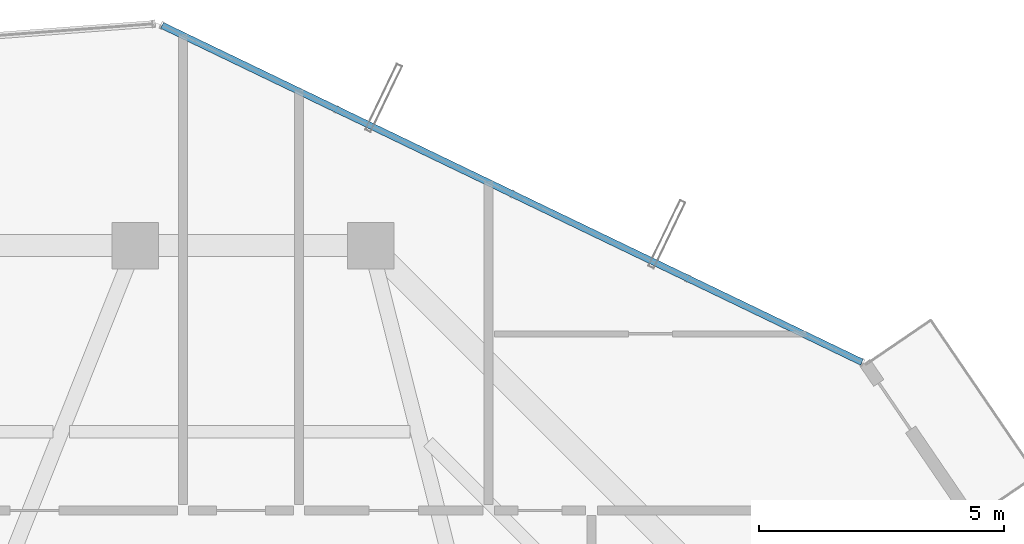
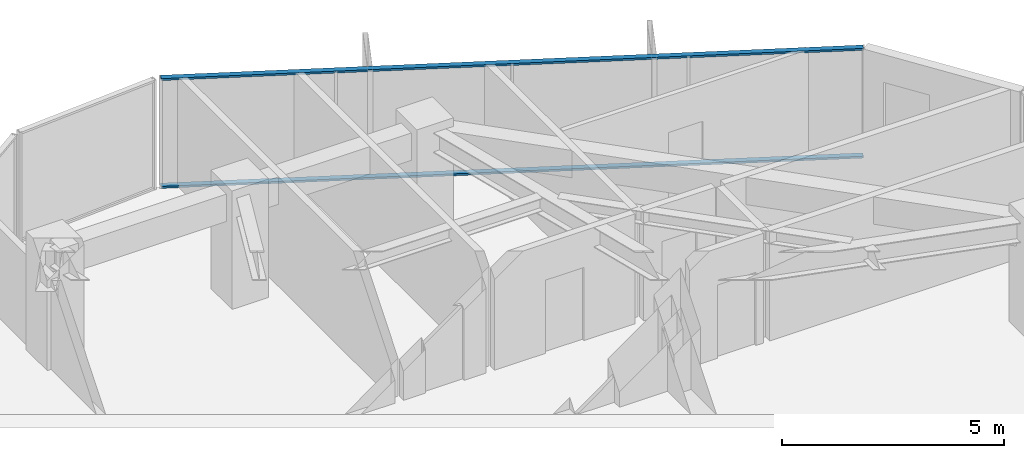
# One storey, part 27 of 34: 2 members, 1 element without a shape of its own.
"""IFC4 building model written with IfcOpenShell, lengths in metres."""

from ifc_helpers import new_model, si_unit, direction, frame, origin, origin_2d, place, context, subcontext, project, spatial, hollow_rectangle, extrude, source, transform, mapped, material, layer, layer_set, material_profile, profile_set, type_object, element, aggregate, save


model = new_model("IFC4")

# Units and contexts
model_context = context("Model", 3, precision=1e-05, world=origin(), true_north=direction((0.0, 1.0)))
body_context = subcontext(model_context, "Body", "Model", "MODEL_VIEW")
ifc_project = project(units=[si_unit("LENGTHUNIT", "METRE"), si_unit("AREAUNIT", "SQUARE_METRE"), si_unit("VOLUMEUNIT", "CUBIC_METRE"), si_unit("PLANEANGLEUNIT", "RADIAN"), si_unit("MASSUNIT", "GRAM", prefix="KILO")], contexts=[model_context])

# Site, building, storey
site_placement = place(None, origin())
site = spatial("IfcSite", under=ifc_project, at=site_placement, CompositionType="ELEMENT")
building_placement = place(site_placement, origin())
building = spatial("IfcBuilding", under=site, at=building_placement, Name="Veraguas Prism Commons", CompositionType="ELEMENT")
storey_placement = place(building_placement, frame((0.0, 0.0, 191.85009765625)))
storey = spatial("IfcBuildingStorey", under=building, at=storey_placement, Name="L54", CompositionType="ELEMENT", Elevation=191.85009765625)

# Curtain wall, members
ifc_material = material(Name="Anodised aluminium EN AW-6063 T6", Category="aluminium")
ifc_layer = layer(ifc_material, 0.14990234375, Name="Unitised Flush Curtain Wall Zone 3", Category="aluminium")
ifc_layer_set = layer_set([ifc_layer], Name="Anodised aluminium EN AW-6063 T6")
curtain_wall_type = type_object("IfcCurtainWallType", Name="Unitised Flush Curtain Wall Zone 3", PredefinedType="NOTDEFINED", material=ifc_layer_set)
curtain_wall_placement = place(storey_placement, origin())
curtain_wall = element("IfcCurtainWall", 1, at=curtain_wall_placement, inside=storey, type_object=curtain_wall_type, Name="Tower Facade Curtain Wall L54-F1", PredefinedType="NOTDEFINED")
ifc_material_profile = material_profile(ifc_material, hollow_rectangle(XDim=0.054931640625, YDim=0.135009765625, WallThickness=0.0029296875, at=origin_2d()), Name="AL55X135X3")
ifc_profile_set = profile_set([ifc_material_profile], Name="Anodised aluminium EN AW-6063 T6")
member_type = type_object("IfcMemberType", Name="Curtain Wall Transom Standard AL 55x135x3", PredefinedType="USERDEFINED", material=ifc_profile_set)
shared_shape = source(origin(), body_context, "Body", "SweptSolid", [
    extrude(hollow_rectangle(XDim=0.054931640625, YDim=0.135009765625, WallThickness=0.0029296875, at=origin_2d()), origin(), (0.0, 0.0, 1.0), 15.84228515625),
])
member_1_placement = place(storey_placement, frame((38.81787109375, 36.523193359375, 0.02734375), z_axis=(-0.901078177174, 0.433656682897, 0.0), x_axis=(0.0, 0.0, 1.0)))
member_1 = element("IfcMember", 2, at=member_1_placement, type_object=member_type, Name="CW-Z3 Transom 1", ObjectType="TRANSOM", PredefinedType="USERDEFINED", context=body_context, shape_type="MappedRepresentation", body=[
    mapped(shared_shape, transform((0.0, 0.0, 0.0), scale=1.0)),
])
member_2_placement = place(storey_placement, frame((38.81787109375, 36.523193359375, 2.9873046875), z_axis=(-0.901078177174, 0.433656682897, 0.0), x_axis=(0.0, 0.0, 1.0)))
member_2 = element("IfcMember", 3, at=member_2_placement, type_object=member_type, Name="CW-Z3 Transom 2", ObjectType="TRANSOM", PredefinedType="USERDEFINED", context=body_context, shape_type="MappedRepresentation", body=[
    mapped(shared_shape, transform((0.0, 0.0, 0.0), scale=1.0)),
])
aggregate(curtain_wall, [member_1, member_2])

save(model, "model.ifc")
